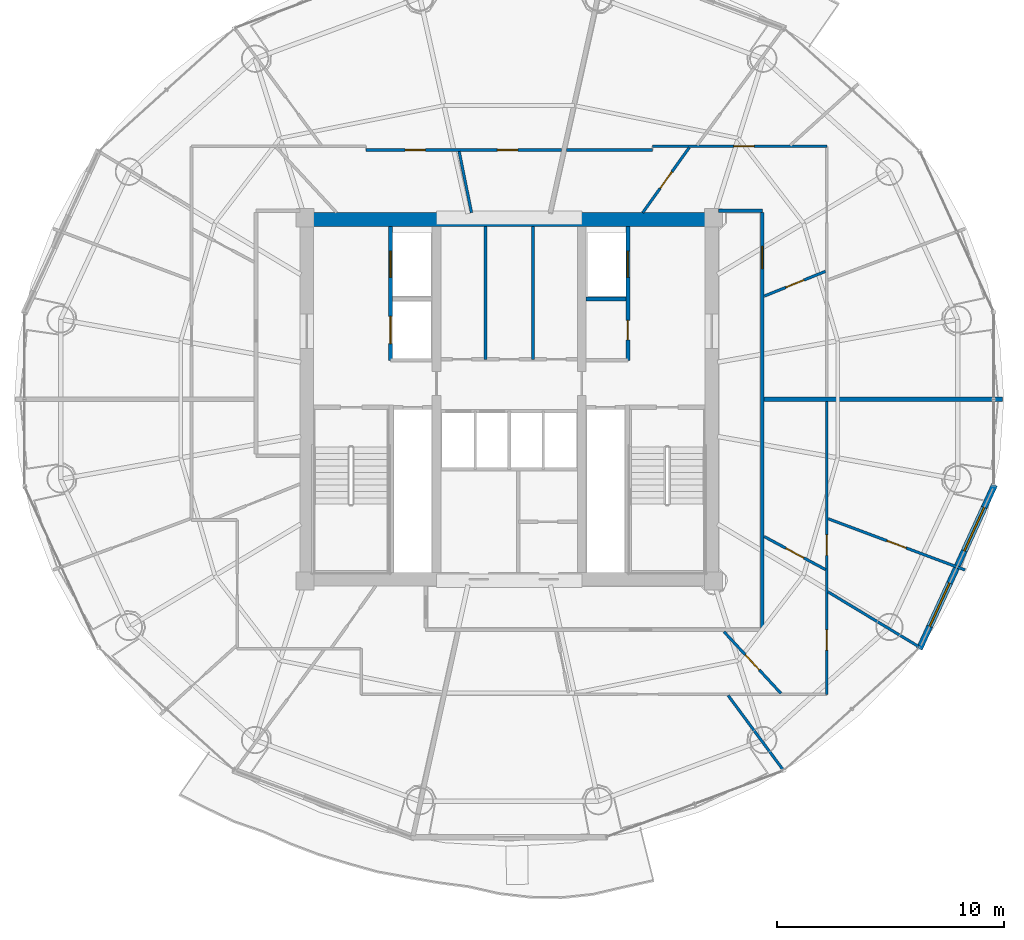
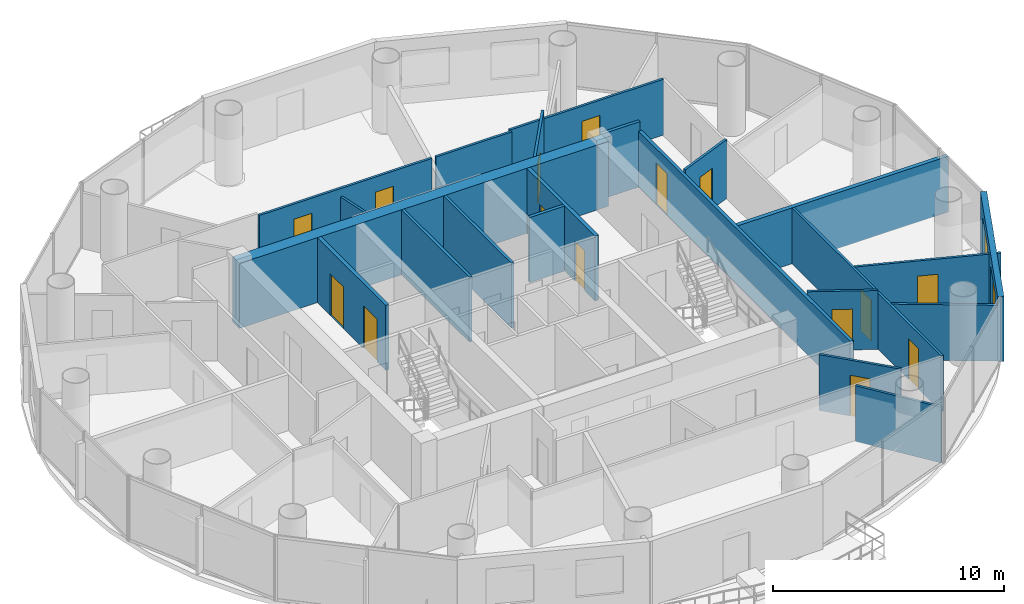
# One storey, part 22 of 26: 22 walls, 15 doors, 2 windows, 17 openings.
"""IFC4 building model written with IfcOpenShell, lengths in metres."""

import ifcopenshell
import ifcopenshell.guid

model = None  # the IFC model being written
_history = None  # IfcOwnerHistory: only IFC2X3 demands one
_inside = {}  # id of a spatial element -> (the spatial element, [elements in it])
_under = {}  # id of a project, library or spatial element -> (it, [spatial elements below it])
_declared = {}  # id of a project -> (the project, [libraries it declares])
_typed = {}  # id of a type object -> (the type object, [elements of that type])
_made_of = {}  # id of a material, layer set ... -> (it, [elements and type objects made of it])


def new_model(schema):
    """Start an empty IFC model of exactly this schema.

    Asked for "IFC4X3", IfcOpenShell would pick the latest addendum, in which some entities
    have other attributes; the version numbers below select the first issue.
    IFC2X3 requires an IfcOwnerHistory on every rooted entity: one is made here for all.
    """
    global model, _history
    if schema == "IFC4X3":
        model = ifcopenshell.file(schema_version=(4, 3, 0, 0))
    else:
        model = ifcopenshell.file(schema=schema)
    _inside.clear()
    _under.clear()
    _declared.clear()
    _typed.clear()
    _made_of.clear()
    _history = None
    if model.schema == "IFC2X3":
        org = make("IfcOrganization", Name="unknown")
        user = make(
            "IfcPersonAndOrganization",
            ThePerson=make("IfcPerson", FamilyName="unknown"),
            TheOrganization=org,
        )
        app = make(
            "IfcApplication",
            ApplicationDeveloper=org,
            Version="unknown",
            ApplicationFullName="unknown",
            ApplicationIdentifier="unknown",
        )
        _history = make(
            "IfcOwnerHistory",
            OwningUser=user,
            OwningApplication=app,
            ChangeAction="ADDED",
            CreationDate=0,
        )
    return model


def make(cls, **values):
    """One entity of the class cls with the attributes given. An attribute that is None is left unset."""
    return model.create_entity(
        cls, **{name: value for name, value in values.items() if value is not None}
    )


def rooted(cls, **values):
    """An entity with a GlobalId (a new one), such as an element, a storey or a relation."""
    return make(cls, GlobalId=ifcopenshell.guid.new(), OwnerHistory=_history, **values)


def si_unit(unit_type, name, prefix=None):
    """IfcSIUnit, for example si_unit("LENGTHUNIT", "METRE", prefix="MILLI")."""
    return make("IfcSIUnit", UnitType=unit_type, Prefix=prefix, Name=name)


def assignment(units):
    """IfcUnitAssignment: the units of a project."""
    return None if units is None else make("IfcUnitAssignment", Units=units)


def point(xyz):
    """IfcCartesianPoint."""
    return None if xyz is None else make("IfcCartesianPoint", Coordinates=xyz)


def direction(xyz):
    """IfcDirection."""
    return None if xyz is None else make("IfcDirection", DirectionRatios=xyz)


def frame(location, z_axis=None, x_axis=None):
    """IfcAxis2Placement3D, a coordinate frame: its origin and axes. An axis left out is left unset."""
    return make(
        "IfcAxis2Placement3D",
        Location=point(location),
        Axis=direction(z_axis),
        RefDirection=direction(x_axis),
    )


def frame_2d(location, x_axis=None):
    """IfcAxis2Placement2D, a coordinate frame in the plane: its origin and x axis."""
    return make(
        "IfcAxis2Placement2D", Location=point(location), RefDirection=direction(x_axis)
    )


def origin():
    """The frame at (0, 0, 0) with its axes left unset."""
    return frame((0.0, 0.0, 0.0))


def place(relative_to, where):
    """IfcLocalPlacement: puts the frame where relative to a parent placement (None: the world)."""
    return make(
        "IfcLocalPlacement", PlacementRelTo=relative_to, RelativePlacement=where
    )


def context(
    kind, dimensions, precision=None, world=None, true_north=None, identifier=None
):
    """IfcGeometricRepresentationContext, for example the 3D "Model" context."""
    return make(
        "IfcGeometricRepresentationContext",
        ContextIdentifier=identifier,
        ContextType=kind,
        CoordinateSpaceDimension=dimensions,
        Precision=precision,
        WorldCoordinateSystem=world,
        TrueNorth=true_north,
    )


def subcontext(parent, identifier, kind, view, scale=None):
    """IfcGeometricRepresentationSubContext, for example "Body" below "Model"."""
    return make(
        "IfcGeometricRepresentationSubContext",
        ContextIdentifier=identifier,
        ContextType=kind,
        ParentContext=parent,
        TargetScale=scale,
        TargetView=view,
    )


def project(units=None, contexts=None):
    """IfcProject with its units and contexts."""
    return rooted(
        "IfcProject",
        Name="project",
        RepresentationContexts=contexts,
        UnitsInContext=assignment(units),
    )


def spatial(cls, under=None, at=None, **own):
    """A site, building, storey or space (cls), placed at a placement, below another one or the project."""
    s = rooted(cls, ObjectPlacement=at, **own)
    if under is not None:
        _under.setdefault(under.id(), (under, []))[1].append(s)
    return s


def profile(cls, at=None, kind="AREA", **sizes):
    """A parametric profile (cls). Its sizes go by their IFC names, for example OverallWidth=200.0."""
    return make(cls, ProfileType=kind, Position=at, **sizes)


def rectangle(**sizes):
    """IfcRectangleProfileDef."""
    return profile("IfcRectangleProfileDef", **sizes)


def extrude(swept, where, along, depth):
    """IfcExtrudedAreaSolid: the profile swept, set in the frame where, extruded along a direction by depth."""
    return make(
        "IfcExtrudedAreaSolid",
        SweptArea=swept,
        Position=where,
        ExtrudedDirection=direction(along),
        Depth=depth,
    )


def shape(context_of_items, identifier, shape_type, items):
    """IfcShapeRepresentation: the items that make up one representation, for example the "Body"."""
    return make(
        "IfcShapeRepresentation",
        ContextOfItems=context_of_items,
        RepresentationIdentifier=identifier,
        RepresentationType=shape_type,
        Items=items,
    )


def source(mapping_origin, context_of_items, identifier, shape_type, items):
    """IfcRepresentationMap: a shape defined once, which mapped items show again and again."""
    return make(
        "IfcRepresentationMap",
        MappingOrigin=mapping_origin,
        MappedRepresentation=shape(context_of_items, identifier, shape_type, items),
    )


def transform(
    local_origin,
    x_axis=None,
    y_axis=None,
    z_axis=None,
    scale=None,
    scale2=None,
    scale3=None,
    uniform=True,
):
    """IfcCartesianTransformationOperator3D, or its non-uniform kind. x_axis, y_axis, z_axis: its Axis1, 2, 3."""
    if uniform:
        return make(
            "IfcCartesianTransformationOperator3D",
            Axis1=direction(x_axis),
            Axis2=direction(y_axis),
            LocalOrigin=point(local_origin),
            Scale=scale,
            Axis3=direction(z_axis),
        )
    return make(
        "IfcCartesianTransformationOperator3DnonUniform",
        Axis1=direction(x_axis),
        Axis2=direction(y_axis),
        LocalOrigin=point(local_origin),
        Scale=scale,
        Axis3=direction(z_axis),
        Scale2=scale2,
        Scale3=scale3,
    )


def mapped(mapping_source, mapping_target):
    """IfcMappedItem: shows the shape of a source again, moved by a transform."""
    return make(
        "IfcMappedItem", MappingSource=mapping_source, MappingTarget=mapping_target
    )


def material(Name=None, Category=None):
    """IfcMaterial."""
    return make("IfcMaterial", Name=Name, Category=Category)


def layer(
    of_material, thickness, ventilated=None, Name=None, Category=None, Priority=None
):
    """IfcMaterialLayer: one layer of a wall or slab, of a material (None: an air gap)."""
    return make(
        "IfcMaterialLayer",
        Material=of_material,
        LayerThickness=thickness,
        IsVentilated=ventilated,
        Name=Name,
        Category=Category,
        Priority=Priority,
    )


def layer_set(layers, Name=None):
    """IfcMaterialLayerSet."""
    return make("IfcMaterialLayerSet", MaterialLayers=layers, LayerSetName=Name)


def made_of(thing, what):
    """Note that an element or type object is made of a material, layer set ...; save() writes the relation."""
    if what is not None:
        _made_of.setdefault(what.id(), (what, []))[1].append(thing)
    return thing


def type_object(cls, material=None, **own):
    """A type object (cls), such as IfcWallType, which elements share."""
    return made_of(rooted(cls, **own), material)


def element(
    cls,
    number,
    at=None,
    inside=None,
    cuts=None,
    type_object=None,
    material=None,
    context=None,
    identifier="Body",
    shape_type=None,
    held_by="IfcProductDefinitionShape",
    body=None,
    shapes=None,
    **own,
):
    """One element of the class cls, such as IfcWall. Its Tag is "e" and its number.

    at: its placement. inside: the storey or other place that contains it. cuts: it is an
    opening in that element (IfcRelVoidsElement). A single representation is given by context,
    identifier, shape_type and body (its items); several are given by shapes. held_by: the class
    of the entity that holds the representations. save() writes the other relations.
    """
    e = rooted(cls, Tag="e%d" % number, ObjectPlacement=at, **own)
    if body is not None:
        shapes = [shape(context, identifier, shape_type, body)]
    if shapes is not None:
        e.Representation = make(held_by, Representations=shapes)
    if inside is not None:
        _inside.setdefault(inside.id(), (inside, []))[1].append(e)
    if cuts is not None:
        rooted(
            "IfcRelVoidsElement", RelatingBuildingElement=cuts, RelatedOpeningElement=e
        )
    if type_object is not None:
        _typed.setdefault(type_object.id(), (type_object, []))[1].append(e)
    return made_of(e, material)


def fill(opening, filler):
    """IfcRelFillsElement: the door or window that sits in an opening."""
    return rooted(
        "IfcRelFillsElement",
        RelatingOpeningElement=opening,
        RelatedBuildingElement=filler,
    )


def aggregate(whole, parts):
    """IfcRelAggregates: a whole, such as a stair, and the parts it consists of."""
    return rooted("IfcRelAggregates", RelatingObject=whole, RelatedObjects=parts)


def save(model, path):
    """Write the relations noted so far, then the file.

    IfcRelAggregates (storeys below a building ...), IfcRelContainedInSpatialStructure (elements
    in a storey), IfcRelDefinesByType, IfcRelAssociatesMaterial and IfcRelDeclares: one each for
    every whole, place, type object, material and project.
    """
    for whole, parts in _under.values():
        aggregate(whole, parts)
    for where, things in _inside.values():
        rooted(
            "IfcRelContainedInSpatialStructure",
            RelatedElements=things,
            RelatingStructure=where,
        )
    for kind, things in _typed.values():
        rooted("IfcRelDefinesByType", RelatedObjects=things, RelatingType=kind)
    for what, things in _made_of.values():
        rooted("IfcRelAssociatesMaterial", RelatedObjects=things, RelatingMaterial=what)
    for by, libraries in _declared.values():
        rooted("IfcRelDeclares", RelatingContext=by, RelatedDefinitions=libraries)
    model.write(path)


model = new_model("IFC4")

# Units and contexts
model_context = context("Model", 3, precision=1e-05, world=origin(), true_north=direction((-0.2419218956, 0.970295726276)))
body_context = subcontext(model_context, "Body", "Model", "MODEL_VIEW")
ifc_project = project(units=[si_unit("LENGTHUNIT", "METRE"), si_unit("AREAUNIT", "SQUARE_METRE"), si_unit("VOLUMEUNIT", "CUBIC_METRE"), si_unit("PLANEANGLEUNIT", "RADIAN"), si_unit("MASSUNIT", "GRAM", prefix="KILO")], contexts=[model_context])

# Site, building, storey
site_placement = place(None, origin())
site = spatial("IfcSite", under=ifc_project, at=site_placement, CompositionType="ELEMENT")
building_placement = place(site_placement, origin())
building = spatial("IfcBuilding", under=site, at=building_placement, Name="Cobrevalo Terracotta Tower", CompositionType="ELEMENT")
storey_placement = place(building_placement, frame((0.0, 0.0, 217.10009765625)))
storey = spatial("IfcBuildingStorey", under=building, at=storey_placement, Name="L57", CompositionType="ELEMENT", Elevation=217.10009765625)

# Walls
ifc_material_1 = material(Name="Concrete C55", Category="concrete")
ifc_layer_1 = layer(ifc_material_1, 0.60009765625)
ifc_layer_set_1 = layer_set([ifc_layer_1], Name="Concrete C55")
wall_type_1 = type_object("IfcWallType", Name="Core shear wall 600 mm Concrete C55", PredefinedType="SHEAR", material=ifc_layer_set_1)
wall_1_placement = place(storey_placement, frame((28.77490234375, 34.72509765625, 0.0), z_axis=(0.0, 0.0, 1.0), x_axis=(1.0, 0.0, 0.0)))
element("IfcWall", 1, at=wall_1_placement, inside=storey, type_object=wall_type_1, Name="L57 north core shear wall", PredefinedType="SHEAR", context=body_context, shape_type="SweptSolid", body=[
    extrude(rectangle(XDim=18.4501953125, YDim=0.60009765625, at=frame_2d((9.22509765625, 0.0))), origin(), (0.0, 0.0, 1.0), 3.434814453125),
])
ifc_material_2 = material(Name="Gypsum board on steel stud", Category="steel")
ifc_layer_2 = layer(ifc_material_2, 0.159912109375)
ifc_layer_set_2 = layer_set([ifc_layer_2], Name="Gypsum board on steel stud")
wall_type_2 = type_object("IfcWallType", Name="Fire-rated corridor acoustic partition wall 160 mm", PredefinedType="PARTITIONING", material=ifc_layer_set_2)
wall_2_placement = place(storey_placement, frame((41.389892578125, 31.219970703125, 0.0), z_axis=(0.0, 0.0, 1.0), x_axis=(1.0, 0.0, 0.0)))
element("IfcWall", 2, at=wall_2_placement, inside=storey, type_object=wall_type_2, Name="L57 interior partition IW-L57-FF2-M", PredefinedType="PARTITIONING", context=body_context, shape_type="SweptSolid", body=[
    extrude(rectangle(XDim=1.75, YDim=0.159912109375, at=frame_2d((0.875, 0.0))), origin(), (0.0, 0.0, 1.0), 3.434814453125),
])

# Wall, opening, door
wall_3_placement = place(storey_placement, frame((49.155029296875, 16.72509765625, 0.0), z_axis=(0.0, 0.0, 1.0), x_axis=(0.0, 1.0, 0.0)))
wall_3 = element("IfcWall", 3, at=wall_3_placement, inside=storey, type_object=wall_type_2, Name="L57 interior partition IW-L57-COR-E", PredefinedType="PARTITIONING", context=body_context, shape_type="SweptSolid", body=[
    extrude(rectangle(XDim=18.2998046875, YDim=0.159912109375, at=frame_2d((9.14990234375, 0.0))), origin(), (0.0, 0.0, 1.0), 2.950927734375),
])
opening_1_placement = place(wall_3_placement, frame((15.836669921875, 0.0, 0.0)))
opening_1 = element("IfcOpeningElement", 4, at=opening_1_placement, cuts=wall_3, Name="Opening ID-05", PredefinedType="OPENING", context=body_context, shape_type="SweptSolid", body=[
    extrude(rectangle(XDim=0.97998046875, YDim=2.199951171875, at=frame_2d((0.489990234375, 1.10009765625))), frame((0.0, 0.08984375, 0.0), z_axis=(0.0, -1.0, 0.0), x_axis=(1.0, 0.0, 0.0)), (0.0, 0.0, 1.0), 0.179931640625),
])
ifc_material_3 = material(Name="Solid hardwood timber", Category="wood")
door_type_1 = type_object("IfcDoorType", Name="Residence entrance fire-rated acoustic timber door 980x2200 EI 60", OperationType="NOTDEFINED", PredefinedType="DOOR", material=ifc_material_3)
shared_shape_1 = source(origin(), body_context, "Body", "SweptSolid", [
    extrude(rectangle(XDim=0.97998046875, YDim=2.199951171875, at=frame_2d((0.489990234375, 1.10009765625))), frame((0.0, 0.02490234375, 0.0), z_axis=(0.0, -1.0, 0.0), x_axis=(1.0, 0.0, 0.0)), (0.0, 0.0, 1.0), 0.050048828125),
])
door_1_placement = place(opening_1_placement, frame((0.97998046875, 0.0, 0.0), z_axis=(0.0, 0.0, 1.0), x_axis=(-1.0, 0.0, 0.0)))
door_1 = element("IfcDoor", 5, at=door_1_placement, inside=storey, type_object=door_type_1, Name="Flat L57A fire-rated apartment entrance door", OperationType="SINGLE_SWING_LEFT", OverallHeight=2.199951171875, OverallWidth=0.97998046875, PredefinedType="DOOR", context=body_context, shape_type="MappedRepresentation", body=[
    mapped(shared_shape_1, transform((0.0, 0.0, 0.0), scale=1.0)),
])
fill(opening_1, door_1)

# Wall
wall_4_placement = place(storey_placement, frame((47.22509765625, 35.10498046875, 0.0), z_axis=(0.0, 0.0, 1.0), x_axis=(1.0, 0.0, 0.0)))
element("IfcWall", 6, at=wall_4_placement, inside=storey, type_object=wall_type_2, Name="L57 interior partition IW-L57-COR-EN-CAP", PredefinedType="PARTITIONING", context=body_context, shape_type="SweptSolid", body=[
    extrude(rectangle(XDim=1.929931640625, YDim=0.159912109375, at=frame_2d((0.96484375, 0.0))), origin(), (0.0, 0.0, 1.0), 3.434814453125),
])

# Wall, openings, doors
ifc_layer_3 = layer(ifc_material_2, 0.179931640625)
ifc_layer_set_3 = layer_set([ifc_layer_3], Name="Gypsum board on steel stud")
wall_type_3 = type_object("IfcWallType", Name="Fire-rated shaft & lobby acoustic partition wall 180 mm", PredefinedType="PARTITIONING", material=ifc_layer_set_3)
wall_5_placement = place(storey_placement, frame((32.77001953125, 28.52001953125, 0.0), z_axis=(0.0, 0.0, 1.0), x_axis=(0.0, 1.0, 0.0)))
wall_5 = element("IfcWall", 7, at=wall_5_placement, inside=storey, type_object=wall_type_3, Name="L57 interior partition IW-L57-FF1-W", PredefinedType="PARTITIONING", context=body_context, shape_type="SweptSolid", body=[
    extrude(rectangle(XDim=5.905029296875, YDim=0.179931640625, at=frame_2d((2.95263671875, 0.0))), origin(), (0.0, 0.0, 1.0), 3.434814453125),
])
opening_2_placement = place(wall_5_placement, frame((3.655029296875, 0.0, 0.0)))
opening_2 = element("IfcOpeningElement", 8, at=opening_2_placement, cuts=wall_5, Name="Opening LD-02", PredefinedType="OPENING", context=body_context, shape_type="SweptSolid", body=[
    extrude(rectangle(XDim=1.14990234375, YDim=2.199951171875, at=frame_2d((0.574951171875, 1.10009765625))), frame((0.0, 0.10009765625, 0.0), z_axis=(0.0, -1.0, 0.0), x_axis=(1.0, 0.0, 0.0)), (0.0, 0.0, 1.0), 0.199951171875),
])
opening_3_placement = place(wall_5_placement, frame((0.72998046875, 0.0, 0.0)))
opening_3 = element("IfcOpeningElement", 9, at=opening_3_placement, cuts=wall_5, Name="Opening LD-03", PredefinedType="OPENING", context=body_context, shape_type="SweptSolid", body=[
    extrude(rectangle(XDim=1.199951171875, YDim=2.25, at=frame_2d((0.60009765625, 1.125))), frame((0.0, 0.10009765625, 0.0), z_axis=(0.0, -1.0, 0.0), x_axis=(1.0, 0.0, 0.0)), (0.0, 0.0, 1.0), 0.199951171875),
])
ifc_material_4 = material(Name="Brushed stainless steel", Category="steel")
door_type_2 = type_object("IfcDoorType", Name="Firefighting lift landing bi-parting sliding door 1150x2200 EI 120", OperationType="DOUBLE_DOOR_SLIDING", PredefinedType="DOOR", material=ifc_material_4)
shared_shape_2 = source(origin(), body_context, "Body", "SweptSolid", [
    extrude(rectangle(XDim=1.14990234375, YDim=2.199951171875, at=frame_2d((0.574951171875, 1.10009765625))), frame((0.0, 0.02490234375, 0.0), z_axis=(0.0, -1.0, 0.0), x_axis=(1.0, 0.0, 0.0)), (0.0, 0.0, 1.0), 0.050048828125),
])
door_2_placement = place(opening_2_placement, origin())
door_2 = element("IfcDoor", 10, at=door_2_placement, inside=storey, type_object=door_type_2, Name="L57 lift landing door FF-1", OperationType="DOUBLE_DOOR_SLIDING", OverallHeight=2.199951171875, OverallWidth=1.14990234375, PredefinedType="DOOR", context=body_context, shape_type="MappedRepresentation", body=[
    mapped(shared_shape_2, transform((0.0, 0.0, 0.0), scale=1.0)),
])
fill(opening_2, door_2)
door_type_3 = type_object("IfcDoorType", Name="Service lift landing bi-parting sliding door 1200x2250 EI 120", OperationType="DOUBLE_DOOR_SLIDING", PredefinedType="DOOR", material=ifc_material_4)
shared_shape_3 = source(origin(), body_context, "Body", "SweptSolid", [
    extrude(rectangle(XDim=1.199951171875, YDim=2.25, at=frame_2d((0.60009765625, 1.125))), frame((0.0, 0.02490234375, 0.0), z_axis=(0.0, -1.0, 0.0), x_axis=(1.0, 0.0, 0.0)), (0.0, 0.0, 1.0), 0.050048828125),
])
door_3_placement = place(opening_3_placement, origin())
door_3 = element("IfcDoor", 11, at=door_3_placement, inside=storey, type_object=door_type_3, Name="L57 lift landing door SV-1", OperationType="DOUBLE_DOOR_SLIDING", OverallHeight=2.25, OverallWidth=1.199951171875, PredefinedType="DOOR", context=body_context, shape_type="MappedRepresentation", body=[
    mapped(shared_shape_3, transform((0.0, 0.0, 0.0), scale=1.0)),
])
fill(opening_3, door_3)

wall_6_placement = place(storey_placement, frame((43.22998046875, 28.52001953125, 0.0), z_axis=(0.0, 0.0, 1.0), x_axis=(0.0, 1.0, 0.0)))
wall_6 = element("IfcWall", 12, at=wall_6_placement, inside=storey, type_object=wall_type_3, Name="L57 interior partition IW-L57-FF2-E", PredefinedType="PARTITIONING", context=body_context, shape_type="SweptSolid", body=[
    extrude(rectangle(XDim=5.905029296875, YDim=0.179931640625, at=frame_2d((2.95263671875, 0.0))), origin(), (0.0, 0.0, 1.0), 3.434814453125),
])
opening_4_placement = place(wall_6_placement, frame((0.905029296875, 0.0, 0.0)))
opening_4 = element("IfcOpeningElement", 13, at=opening_4_placement, cuts=wall_6, Name="Opening ID-22", PredefinedType="OPENING", context=body_context, shape_type="SweptSolid", body=[
    extrude(rectangle(XDim=0.85009765625, YDim=2.10009765625, at=frame_2d((0.425048828125, 1.050048828125))), frame((0.0, 0.10009765625, 0.0), z_axis=(0.0, -1.0, 0.0), x_axis=(1.0, 0.0, 0.0)), (0.0, 0.0, 1.0), 0.199951171875),
])
opening_5_placement = place(wall_6_placement, frame((3.655029296875, 0.0, 0.0)))
opening_5 = element("IfcOpeningElement", 14, at=opening_5_placement, cuts=wall_6, Name="Opening LD-02", PredefinedType="OPENING", context=body_context, shape_type="SweptSolid", body=[
    extrude(rectangle(XDim=1.14990234375, YDim=2.199951171875, at=frame_2d((0.574951171875, 1.10009765625))), frame((0.0, 0.10009765625, 0.0), z_axis=(0.0, -1.0, 0.0), x_axis=(1.0, 0.0, 0.0)), (0.0, 0.0, 1.0), 0.199951171875),
])
ifc_material_5 = material(Name="Powder-coated steel", Category="steel")
door_type_4 = type_object("IfcDoorType", Name="Riser shaft & meter closet fire access door 850x2100 EI 60", OperationType="NOTDEFINED", PredefinedType="DOOR", material=ifc_material_5)
shared_shape_4 = source(origin(), body_context, "Body", "SweptSolid", [
    extrude(rectangle(XDim=0.85009765625, YDim=2.10009765625, at=frame_2d((0.425048828125, 1.050048828125))), frame((0.0, 0.02490234375, 0.0), z_axis=(0.0, -1.0, 0.0), x_axis=(1.0, 0.0, 0.0)), (0.0, 0.0, 1.0), 0.050048828125),
])
door_4_placement = place(opening_4_placement, frame((0.85009765625, 0.0, 0.0), z_axis=(0.0, 0.0, 1.0), x_axis=(-1.0, 0.0, 0.0)))
door_4 = element("IfcDoor", 15, at=door_4_placement, inside=storey, type_object=door_type_4, Name="L57 housekeeping store door", OperationType="SINGLE_SWING_RIGHT", OverallHeight=2.10009765625, OverallWidth=0.85009765625, PredefinedType="DOOR", context=body_context, shape_type="MappedRepresentation", body=[
    mapped(shared_shape_4, transform((0.0, 0.0, 0.0), scale=1.0)),
])
fill(opening_4, door_4)
door_5_placement = place(opening_5_placement, origin())
door_5 = element("IfcDoor", 16, at=door_5_placement, inside=storey, type_object=door_type_2, Name="L57 lift landing door FF-2", OperationType="DOUBLE_DOOR_SLIDING", OverallHeight=2.199951171875, OverallWidth=1.14990234375, PredefinedType="DOOR", context=body_context, shape_type="MappedRepresentation", body=[
    mapped(shared_shape_2, transform((0.0, 0.0, 0.0), scale=1.0)),
])
fill(opening_5, door_5)

# Wall
ifc_material_6 = material(Name="Autoclaved aerated concrete block", Category="concrete")
ifc_layer_4 = layer(ifc_material_6, 0.199951171875)
ifc_layer_set_4 = layer_set([ifc_layer_4], Name="Autoclaved aerated concrete block")
wall_type_4 = type_object("IfcWallType", Name="Fire-rated stair, shaft & demising masonry wall 200 mm", PredefinedType="PARTITIONING", material=ifc_layer_set_4)
wall_7_placement = place(storey_placement, frame((49.237060546875, 26.800048828125, 0.0), z_axis=(0.0, 0.0, 1.0), x_axis=(1.0, 0.0, 0.0)))
element("IfcWall", 17, at=wall_7_placement, inside=storey, type_object=wall_type_4, Name="L57 interior partition IW-L57-DEM-1", PredefinedType="PARTITIONING", context=body_context, shape_type="SweptSolid", body=[
    extrude(rectangle(XDim=10.5029296875, YDim=0.199951171875, at=frame_2d((5.25146484375, 0.0))), origin(), (0.0, 0.0, 1.0), 2.950927734375),
])

# Wall, openings, windows
ifc_layer_5 = layer(ifc_material_6, 0.280029296875)
ifc_layer_set_5 = layer_set([ifc_layer_5], Name="Autoclaved aerated concrete block")
wall_type_5 = type_object("IfcWallType", Name="Insulated tower spandrel & pier wall 280 mm with terracotta rainscreen", PredefinedType="SOLIDWALL", material=ifc_layer_set_5)
wall_8_placement = place(storey_placement, frame((56.06787109375, 15.79931640625, 0.0), z_axis=(0.0, 0.0, 1.0), x_axis=(0.416717018135, 0.909036262641, 0.0)))
wall_8 = element("IfcWall", 18, at=wall_8_placement, inside=storey, type_object=wall_type_5, Name="L57 terracotta rainscreen pier wall S15", PredefinedType="SOLIDWALL", context=body_context, shape_type="SweptSolid", body=[
    extrude(rectangle(XDim=7.960205078125, YDim=0.280029296875, at=frame_2d((3.97998046875, 0.0))), origin(), (0.0, 0.0, 1.0), 3.434814453125),
])
opening_6_placement = place(wall_8_placement, frame((1.099365234375, 0.0, 0.85009765625)))
opening_6 = element("IfcOpeningElement", 19, at=opening_6_placement, cuts=wall_8, Name="Opening WN-10", PredefinedType="OPENING", context=body_context, shape_type="SweptSolid", body=[
    extrude(rectangle(XDim=2.10009765625, YDim=1.949951171875, at=frame_2d((1.050048828125, 0.97509765625))), frame((0.0, 0.14990234375, 0.0), z_axis=(0.0, -1.0, 0.0), x_axis=(1.0, 0.0, 0.0)), (0.0, 0.0, 1.0), 0.300048828125),
])
opening_7_placement = place(wall_8_placement, frame((4.760986328125, 0.0, 0.85009765625)))
opening_7 = element("IfcOpeningElement", 20, at=opening_7_placement, cuts=wall_8, Name="Opening WN-10", PredefinedType="OPENING", context=body_context, shape_type="SweptSolid", body=[
    extrude(rectangle(XDim=2.10009765625, YDim=1.949951171875, at=frame_2d((1.050048828125, 0.97509765625))), frame((0.0, 0.14990234375, 0.0), z_axis=(0.0, -1.0, 0.0), x_axis=(1.0, 0.0, 0.0)), (0.0, 0.0, 1.0), 0.300048828125),
])
ifc_material_7 = material(Name="Solar-control low-E double glazing", Category="glass")
window_type = type_object("IfcWindowType", Name="Wide panoramic low-E aluminium window 2100x1950", PartitioningType="SINGLE_PANEL", PredefinedType="WINDOW", material=ifc_material_7)
shared_shape_5 = source(origin(), body_context, "Body", "SweptSolid", [
    extrude(rectangle(XDim=2.10009765625, YDim=1.949951171875, at=frame_2d((1.050048828125, 0.97509765625))), frame((0.0, 0.030029296875, 0.0), z_axis=(0.0, -1.0, 0.0), x_axis=(1.0, 0.0, 0.0)), (0.0, 0.0, 1.0), 0.06005859375),
])
window_1_placement = place(opening_6_placement, origin())
window_1 = element("IfcWindow", 21, at=window_1_placement, inside=storey, type_object=window_type, Name="L57 suite window S15A", OverallHeight=1.949951171875, OverallWidth=2.10009765625, PartitioningType="SINGLE_PANEL", PredefinedType="WINDOW", context=body_context, shape_type="MappedRepresentation", body=[
    mapped(shared_shape_5, transform((0.0, 0.0, 0.0), scale=1.0)),
])
fill(opening_6, window_1)
window_2_placement = place(opening_7_placement, origin())
window_2 = element("IfcWindow", 22, at=window_2_placement, inside=storey, type_object=window_type, Name="L57 suite window S15B", OverallHeight=1.949951171875, OverallWidth=2.10009765625, PartitioningType="SINGLE_PANEL", PredefinedType="WINDOW", context=body_context, shape_type="MappedRepresentation", body=[
    mapped(shared_shape_5, transform((0.0, 0.0, 0.0), scale=1.0)),
])
fill(opening_7, window_2)

# Walls
ifc_layer_6 = layer(ifc_material_6, 0.139892578125)
ifc_layer_set_6 = layer_set([ifc_layer_6], Name="Autoclaved aerated concrete block")
wall_type_6 = type_object("IfcWallType", Name="Moisture-resistant wet-room & core service partition 140 mm", PredefinedType="PARTITIONING", material=ifc_layer_set_6)
for number, where, z_axis, x_axis, name in (
    (23, (36.949951171875, 28.56005859375, 0.0), (0.0, 0.0, 1.0), (0.0, 1.0, 0.0), "L57 interior partition IW-L57-KVN-A"),
    (24, (39.050048828125, 28.56005859375, 0.0), (0.0, 0.0, 1.0), (0.0, 1.0, 0.0), "L57 interior partition IW-L57-KVN-B"),
):
    element("IfcWall", number, at=place(storey_placement, frame(where, z_axis=z_axis, x_axis=x_axis)), inside=storey, type_object=wall_type_6, Name=name, PredefinedType="PARTITIONING", context=body_context, shape_type="SweptSolid", body=[
        extrude(rectangle(XDim=5.864990234375, YDim=0.139892578125, at=frame_2d((2.9326171875, 0.0))), origin(), (0.0, 0.0, 1.0), 3.434814453125),
    ])
ifc_layer_7 = layer(ifc_material_2, 0.1201171875)
ifc_layer_set_7 = layer_set([ifc_layer_7], Name="Gypsum board on steel stud")
wall_type_7 = type_object("IfcWallType", Name="Residential internal acoustic stud partition 120 mm", PredefinedType="PARTITIONING", material=ifc_layer_set_7)
wall_9_placement = place(storey_placement, frame((40.52001953125, 37.784912109375, 0.0), z_axis=(0.0, 0.0, 1.0), x_axis=(1.0, 0.0, 0.0)))
element("IfcWall", 25, at=wall_9_placement, inside=storey, type_object=wall_type_7, Name="L57 interior partition IW-L57-U1-RING0_0", PredefinedType="PARTITIONING", context=body_context, shape_type="SweptSolid", body=[
    extrude(rectangle(XDim=3.784912109375, YDim=0.1201171875, at=frame_2d((1.892578125, 0.0))), origin(), (0.0, 0.0, 1.0), 2.950927734375),
])

# Wall, opening, door
wall_10_placement = place(storey_placement, frame((44.304931640625, 37.945068359375, 0.0), z_axis=(0.0, 0.0, 1.0), x_axis=(1.0, 0.0, 0.0)))
wall_10 = element("IfcWall", 26, at=wall_10_placement, inside=storey, type_object=wall_type_7, Name="L57 interior partition IW-L57-U1-RING2_0", PredefinedType="PARTITIONING", context=body_context, shape_type="SweptSolid", body=[
    extrude(rectangle(XDim=7.690185546875, YDim=0.1201171875, at=frame_2d((3.84521484375, 0.0))), origin(), (0.0, 0.0, 1.0), 2.950927734375),
])
opening_8_placement = place(wall_10_placement, frame((3.591064453125, 0.0, 0.0)))
opening_8 = element("IfcOpeningElement", 27, at=opening_8_placement, cuts=wall_10, Name="Opening ID-12", PredefinedType="OPENING", context=body_context, shape_type="SweptSolid", body=[
    extrude(rectangle(XDim=0.89990234375, YDim=2.14990234375, at=frame_2d((0.449951171875, 1.074951171875))), frame((0.0, 0.070068359375, 0.0), z_axis=(0.0, -1.0, 0.0), x_axis=(1.0, 0.0, 0.0)), (0.0, 0.0, 1.0), 0.14013671875),
])
ifc_material_8 = material(Name="Engineered timber", Category="wood")
door_type_5 = type_object("IfcDoorType", Name="Internal residence & suite timber door 900x2150", OperationType="NOTDEFINED", PredefinedType="DOOR", material=ifc_material_8)
shared_shape_6 = source(origin(), body_context, "Body", "SweptSolid", [
    extrude(rectangle(XDim=0.89990234375, YDim=2.14990234375, at=frame_2d((0.449951171875, 1.074951171875))), frame((0.0, 0.02490234375, 0.0), z_axis=(0.0, -1.0, 0.0), x_axis=(1.0, 0.0, 0.0)), (0.0, 0.0, 1.0), 0.050048828125),
])
door_6_placement = place(opening_8_placement, origin())
door_6 = element("IfcDoor", 28, at=door_6_placement, inside=storey, type_object=door_type_5, Name="Flat L57A Principal Guest Bedroom internal door", OperationType="SINGLE_SWING_LEFT", OverallHeight=2.14990234375, OverallWidth=0.89990234375, PredefinedType="DOOR", context=body_context, shape_type="MappedRepresentation", body=[
    mapped(shared_shape_6, transform((0.0, 0.0, 0.0), scale=1.0)),
])
fill(opening_8, door_6)

wall_11_placement = place(storey_placement, frame((49.23681640625, 31.347412109375, 0.0), z_axis=(0.0, 0.0, 1.0), x_axis=(0.926960690293, 0.375158471383, 0.0)))
wall_11 = element("IfcWall", 29, at=wall_11_placement, inside=storey, type_object=wall_type_7, Name="L57 interior partition IW-L57-U1-IRAD1", PredefinedType="PARTITIONING", context=body_context, shape_type="SweptSolid", body=[
    extrude(rectangle(XDim=2.91357421875, YDim=0.1201171875, at=frame_2d((1.456787109375, 0.0))), origin(), (0.0, 0.0, 1.0), 3.10986328125),
])
opening_9_placement = place(wall_11_placement, frame((1.026611328125, 0.0, 0.0)))
opening_9 = element("IfcOpeningElement", 30, at=opening_9_placement, cuts=wall_11, Name="Opening ID-19", PredefinedType="OPENING", context=body_context, shape_type="SweptSolid", body=[
    extrude(rectangle(XDim=0.860107421875, YDim=2.14990234375, at=frame_2d((0.43017578125, 1.074951171875))), frame((0.0, 0.070068359375, 0.0), z_axis=(0.0, -1.0, 0.0), x_axis=(1.0, 0.0, 0.0)), (0.0, 0.0, 1.0), 0.14013671875),
])
ifc_material_9 = material(Name="Moisture-sealed timber", Category="wood")
door_type_6 = type_object("IfcDoorType", Name="Suite bathroom internal timber door 860x2150", OperationType="NOTDEFINED", PredefinedType="DOOR", material=ifc_material_9)
shared_shape_7 = source(origin(), body_context, "Body", "SweptSolid", [
    extrude(rectangle(XDim=0.860107421875, YDim=2.14990234375, at=frame_2d((0.43017578125, 1.074951171875))), frame((0.0, 0.02490234375, 0.0), z_axis=(0.0, -1.0, 0.0), x_axis=(1.0, 0.0, 0.0)), (0.0, 0.0, 1.0), 0.050048828125),
])
door_7_placement = place(opening_9_placement, frame((0.860107421875, 0.0, 0.0), z_axis=(0.0, 0.0, 1.0), x_axis=(-1.0, 0.0, 0.0)))
door_7 = element("IfcDoor", 31, at=door_7_placement, inside=storey, type_object=door_type_6, Name="Flat L57A Primary Bathroom internal door", OperationType="SINGLE_SWING_RIGHT", OverallHeight=2.14990234375, OverallWidth=0.860107421875, PredefinedType="DOOR", context=body_context, shape_type="MappedRepresentation", body=[
    mapped(shared_shape_7, transform((0.0, 0.0, 0.0), scale=1.0)),
])
fill(opening_9, door_7)

wall_12_placement = place(storey_placement, frame((43.884521484375, 35.026611328125, 0.0), z_axis=(0.0, 0.0, 1.0), x_axis=(0.581801309538, 0.813330951225, 0.0)))
wall_12 = element("IfcWall", 32, at=wall_12_placement, inside=storey, type_object=wall_type_7, Name="L57 interior partition IW-L57-U1-IRAD2", PredefinedType="PARTITIONING", context=body_context, shape_type="SweptSolid", body=[
    extrude(rectangle(XDim=3.526123046875, YDim=0.1201171875, at=frame_2d((1.76318359375, 0.0))), origin(), (0.0, 0.0, 1.0), 3.434814453125),
])
opening_10_placement = place(wall_12_placement, frame((1.31298828125, 0.0, 0.0)))
opening_10 = element("IfcOpeningElement", 33, at=opening_10_placement, cuts=wall_12, Name="Opening ID-12", PredefinedType="OPENING", context=body_context, shape_type="SweptSolid", body=[
    extrude(rectangle(XDim=0.89990234375, YDim=2.14990234375, at=frame_2d((0.449951171875, 1.074951171875))), frame((0.0, 0.070068359375, 0.0), z_axis=(0.0, -1.0, 0.0), x_axis=(1.0, 0.0, 0.0)), (0.0, 0.0, 1.0), 0.14013671875),
])
door_8_placement = place(opening_10_placement, origin())
door_8 = element("IfcDoor", 34, at=door_8_placement, inside=storey, type_object=door_type_5, Name="Flat L57A Kitchen internal door", OperationType="SINGLE_SWING_LEFT", OverallHeight=2.14990234375, OverallWidth=0.89990234375, PredefinedType="DOOR", context=body_context, shape_type="MappedRepresentation", body=[
    mapped(shared_shape_6, transform((0.0, 0.0, 0.0), scale=1.0)),
])
fill(opening_10, door_8)

# Wall, openings, doors
wall_13_placement = place(storey_placement, frame((31.695068359375, 37.784912109375, 0.0), z_axis=(0.0, 0.0, 1.0), x_axis=(1.0, 0.0, 0.0)))
wall_13 = element("IfcWall", 35, at=wall_13_placement, inside=storey, type_object=wall_type_7, Name="L57 interior partition IW-L57-U2-RING3_0", PredefinedType="PARTITIONING", context=body_context, shape_type="SweptSolid", body=[
    extrude(rectangle(XDim=8.620849609375, YDim=0.1201171875, at=frame_2d((4.310546875, 0.0))), origin(), (0.0, 0.0, 1.0), 2.950927734375),
])
opening_11_placement = place(wall_13_placement, frame((1.716064453125, 0.0, 0.0)))
opening_11 = element("IfcOpeningElement", 36, at=opening_11_placement, cuts=wall_13, Name="Opening ID-12", PredefinedType="OPENING", context=body_context, shape_type="SweptSolid", body=[
    extrude(rectangle(XDim=0.89990234375, YDim=2.14990234375, at=frame_2d((0.449951171875, 1.074951171875))), frame((0.0, 0.070068359375, 0.0), z_axis=(0.0, -1.0, 0.0), x_axis=(1.0, 0.0, 0.0)), (0.0, 0.0, 1.0), 0.14013671875),
])
opening_12_placement = place(wall_13_placement, frame((5.7841796875, 0.0, 0.0)))
opening_12 = element("IfcOpeningElement", 37, at=opening_12_placement, cuts=wall_13, Name="Opening ID-12", PredefinedType="OPENING", context=body_context, shape_type="SweptSolid", body=[
    extrude(rectangle(XDim=0.89990234375, YDim=2.14990234375, at=frame_2d((0.449951171875, 1.074951171875))), frame((0.0, 0.070068359375, 0.0), z_axis=(0.0, -1.0, 0.0), x_axis=(1.0, 0.0, 0.0)), (0.0, 0.0, 1.0), 0.14013671875),
])
door_9_placement = place(opening_11_placement, frame((0.89990234375, 0.0, 0.0), z_axis=(0.0, 0.0, 1.0), x_axis=(-1.0, 0.0, 0.0)))
door_9 = element("IfcDoor", 38, at=door_9_placement, inside=storey, type_object=door_type_5, Name="Flat L57B Kitchen internal door", OperationType="SINGLE_SWING_RIGHT", OverallHeight=2.14990234375, OverallWidth=0.89990234375, PredefinedType="DOOR", context=body_context, shape_type="MappedRepresentation", body=[
    mapped(shared_shape_6, transform((0.0, 0.0, 0.0), scale=1.0)),
])
fill(opening_11, door_9)
door_10_placement = place(opening_12_placement, frame((0.89990234375, 0.0, 0.0), z_axis=(0.0, 0.0, 1.0), x_axis=(-1.0, 0.0, 0.0)))
door_10 = element("IfcDoor", 39, at=door_10_placement, inside=storey, type_object=door_type_5, Name="Flat L57B Home Office Study internal door", OperationType="SINGLE_SWING_LEFT", OverallHeight=2.14990234375, OverallWidth=0.89990234375, PredefinedType="DOOR", context=body_context, shape_type="MappedRepresentation", body=[
    mapped(shared_shape_6, transform((0.0, 0.0, 0.0), scale=1.0)),
])
fill(opening_12, door_10)

# Wall
wall_14_placement = place(storey_placement, frame((36.3388671875, 35.02685546875, 0.0), z_axis=(0.0, 0.0, 1.0), x_axis=(-0.197856196381, 0.980231057228, 0.0)))
element("IfcWall", 40, at=wall_14_placement, inside=storey, type_object=wall_type_7, Name="L57 interior partition IW-L57-U2-IRAD1", PredefinedType="PARTITIONING", context=body_context, shape_type="SweptSolid", body=[
    extrude(rectangle(XDim=2.751708984375, YDim=0.1201171875, at=frame_2d((1.3759765625, 0.0))), origin(), (0.0, 0.0, 1.0), 2.52001953125),
])

# Wall, openings, doors
wall_15_placement = place(storey_placement, frame((51.9951171875, 26.697998046875, 0.0), z_axis=(0.0, 0.0, 1.0), x_axis=(0.0, -1.0, 0.0)))
wall_15 = element("IfcWall", 41, at=wall_15_placement, inside=storey, type_object=wall_type_7, Name="L57 interior partition IW-L57-U4-RING0_0", PredefinedType="PARTITIONING", context=body_context, shape_type="SweptSolid", body=[
    extrude(rectangle(XDim=12.89306640625, YDim=0.1201171875, at=frame_2d((6.446533203125, 0.0))), origin(), (0.0, 0.0, 1.0), 2.950927734375),
])
opening_13_placement = place(wall_15_placement, frame((10.05078125, 0.0, 0.0)))
opening_13 = element("IfcOpeningElement", 42, at=opening_13_placement, cuts=wall_15, Name="Opening ID-12", PredefinedType="OPENING", context=body_context, shape_type="SweptSolid", body=[
    extrude(rectangle(XDim=0.89990234375, YDim=2.14990234375, at=frame_2d((0.449951171875, 1.074951171875))), frame((0.0, 0.070068359375, 0.0), z_axis=(0.0, -1.0, 0.0), x_axis=(1.0, 0.0, 0.0)), (0.0, 0.0, 1.0), 0.14013671875),
])
opening_14_placement = place(wall_15_placement, frame((5.872802734375, 0.0, 0.0)))
opening_14 = element("IfcOpeningElement", 43, at=opening_14_placement, cuts=wall_15, Name="Opening ID-12", PredefinedType="OPENING", context=body_context, shape_type="SweptSolid", body=[
    extrude(rectangle(XDim=0.89990234375, YDim=2.14990234375, at=frame_2d((0.449951171875, 1.074951171875))), frame((0.0, 0.070068359375, 0.0), z_axis=(0.0, -1.0, 0.0), x_axis=(1.0, 0.0, 0.0)), (0.0, 0.0, 1.0), 0.14013671875),
])
door_11_placement = place(opening_13_placement, origin())
door_11 = element("IfcDoor", 44, at=door_11_placement, inside=storey, type_object=door_type_5, Name="Flat L57D Master Bedroom internal door", OperationType="SINGLE_SWING_RIGHT", OverallHeight=2.14990234375, OverallWidth=0.89990234375, PredefinedType="DOOR", context=body_context, shape_type="MappedRepresentation", body=[
    mapped(shared_shape_6, transform((0.0, 0.0, 0.0), scale=1.0)),
])
fill(opening_13, door_11)
door_12_placement = place(opening_14_placement, origin())
door_12 = element("IfcDoor", 45, at=door_12_placement, inside=storey, type_object=door_type_5, Name="Flat L57D Principal Guest Bedroom internal door", OperationType="SINGLE_SWING_LEFT", OverallHeight=2.14990234375, OverallWidth=0.89990234375, PredefinedType="DOOR", context=body_context, shape_type="MappedRepresentation", body=[
    mapped(shared_shape_6, transform((0.0, 0.0, 0.0), scale=1.0)),
])
fill(opening_14, door_12)

# Walls
wall_16_placement = place(storey_placement, frame((47.6455078125, 13.755126953125, 0.0), z_axis=(0.0, 0.0, 1.0), x_axis=(0.594518373783, -0.80408202519, 0.0)))
element("IfcWall", 46, at=wall_16_placement, inside=storey, type_object=wall_type_7, Name="L57 interior partition IW-L57-U4-ORAD1", PredefinedType="PARTITIONING", context=body_context, shape_type="SweptSolid", body=[
    extrude(rectangle(XDim=4.043701171875, YDim=0.1201171875, at=frame_2d((2.02197265625, 0.0))), origin(), (0.0, 0.0, 1.0), 2.950927734375),
])
wall_17_placement = place(storey_placement, frame((52.048095703125, 18.317626953125, 0.0), z_axis=(0.0, 0.0, 1.0), x_axis=(0.856051317976, -0.516890840499, 0.0)))
element("IfcWall", 47, at=wall_17_placement, inside=storey, type_object=wall_type_7, Name="L57 interior partition IW-L57-U4-ORAD2", PredefinedType="PARTITIONING", context=body_context, shape_type="SweptSolid", body=[
    extrude(rectangle(XDim=4.657958984375, YDim=0.1201171875, at=frame_2d((2.3291015625, 0.0))), origin(), (0.0, 0.0, 1.0), 2.950927734375),
])

# Wall, opening, door
wall_18_placement = place(storey_placement, frame((52.052978515625, 21.539794921875, 0.0), z_axis=(0.0, 0.0, 1.0), x_axis=(0.936534700322, -0.350574892274, 0.0)))
wall_18 = element("IfcWall", 48, at=wall_18_placement, inside=storey, type_object=wall_type_7, Name="L57 interior partition IW-L57-U4-ORAD3M1", PredefinedType="PARTITIONING", context=body_context, shape_type="SweptSolid", body=[
    extrude(rectangle(XDim=6.43896484375, YDim=0.1201171875, at=frame_2d((3.219482421875, 0.0))), origin(), (0.0, 0.0, 1.0), 2.950927734375),
])
opening_15_placement = place(wall_18_placement, frame((2.769287109375, 0.0, 0.0)))
opening_15 = element("IfcOpeningElement", 49, at=opening_15_placement, cuts=wall_18, Name="Opening ID-12", PredefinedType="OPENING", context=body_context, shape_type="SweptSolid", body=[
    extrude(rectangle(XDim=0.89990234375, YDim=2.14990234375, at=frame_2d((0.449951171875, 1.074951171875))), frame((0.0, 0.070068359375, 0.0), z_axis=(0.0, -1.0, 0.0), x_axis=(1.0, 0.0, 0.0)), (0.0, 0.0, 1.0), 0.14013671875),
])
door_13_placement = place(opening_15_placement, origin())
door_13 = element("IfcDoor", 50, at=door_13_placement, inside=storey, type_object=door_type_5, Name="Flat L57D Penthouse Family Lounge internal door", OperationType="SINGLE_SWING_RIGHT", OverallHeight=2.14990234375, OverallWidth=0.89990234375, PredefinedType="DOOR", context=body_context, shape_type="MappedRepresentation", body=[
    mapped(shared_shape_6, transform((0.0, 0.0, 0.0), scale=1.0)),
])
fill(opening_15, door_13)

wall_19_placement = place(storey_placement, frame((47.46044921875, 16.56494140625, 0.0), z_axis=(0.0, 0.0, 1.0), x_axis=(0.678787443458, -0.734334805524, 0.0)))
wall_19 = element("IfcWall", 51, at=wall_19_placement, inside=storey, type_object=wall_type_7, Name="L57 interior partition IW-L57-U4-IRAD2", PredefinedType="PARTITIONING", context=body_context, shape_type="SweptSolid", body=[
    extrude(rectangle(XDim=3.6962890625, YDim=0.1201171875, at=frame_2d((1.84814453125, 0.0))), origin(), (0.0, 0.0, 1.0), 2.950927734375),
])
opening_16_placement = place(wall_19_placement, frame((1.398193359375, 0.0, 0.0)))
opening_16 = element("IfcOpeningElement", 52, at=opening_16_placement, cuts=wall_19, Name="Opening ID-12", PredefinedType="OPENING", context=body_context, shape_type="SweptSolid", body=[
    extrude(rectangle(XDim=0.89990234375, YDim=2.14990234375, at=frame_2d((0.449951171875, 1.074951171875))), frame((0.0, 0.070068359375, 0.0), z_axis=(0.0, -1.0, 0.0), x_axis=(1.0, 0.0, 0.0)), (0.0, 0.0, 1.0), 0.14013671875),
])
door_14_placement = place(opening_16_placement, origin())
door_14 = element("IfcDoor", 53, at=door_14_placement, inside=storey, type_object=door_type_5, Name="Flat L57D Kitchen internal door", OperationType="SINGLE_SWING_RIGHT", OverallHeight=2.14990234375, OverallWidth=0.89990234375, PredefinedType="DOOR", context=body_context, shape_type="MappedRepresentation", body=[
    mapped(shared_shape_6, transform((0.0, 0.0, 0.0), scale=1.0)),
])
fill(opening_16, door_14)

wall_20_placement = place(storey_placement, frame((49.23681640625, 20.75341796875, 0.0), z_axis=(0.0, 0.0, 1.0), x_axis=(0.880601289356, -0.473857963091, 0.0)))
wall_20 = element("IfcWall", 54, at=wall_20_placement, inside=storey, type_object=wall_type_7, Name="L57 interior partition IW-L57-U4-IRAD3", PredefinedType="PARTITIONING", context=body_context, shape_type="SweptSolid", body=[
    extrude(rectangle(XDim=3.070068359375, YDim=0.1201171875, at=frame_2d((1.53515625, 0.0))), origin(), (0.0, 0.0, 1.0), 3.10986328125),
])
opening_17_placement = place(wall_20_placement, frame((1.085205078125, 0.0, 0.0)))
opening_17 = element("IfcOpeningElement", 55, at=opening_17_placement, cuts=wall_20, Name="Opening ID-12", PredefinedType="OPENING", context=body_context, shape_type="SweptSolid", body=[
    extrude(rectangle(XDim=0.89990234375, YDim=2.14990234375, at=frame_2d((0.449951171875, 1.074951171875))), frame((0.0, 0.070068359375, 0.0), z_axis=(0.0, -1.0, 0.0), x_axis=(1.0, 0.0, 0.0)), (0.0, 0.0, 1.0), 0.14013671875),
])
door_15_placement = place(opening_17_placement, origin())
door_15 = element("IfcDoor", 56, at=door_15_placement, inside=storey, type_object=door_type_5, Name="Flat L57D Home Office Study internal door", OperationType="SINGLE_SWING_LEFT", OverallHeight=2.14990234375, OverallWidth=0.89990234375, PredefinedType="DOOR", context=body_context, shape_type="MappedRepresentation", body=[
    mapped(shared_shape_6, transform((0.0, 0.0, 0.0), scale=1.0)),
])
fill(opening_17, door_15)

save(model, "model.ifc")
